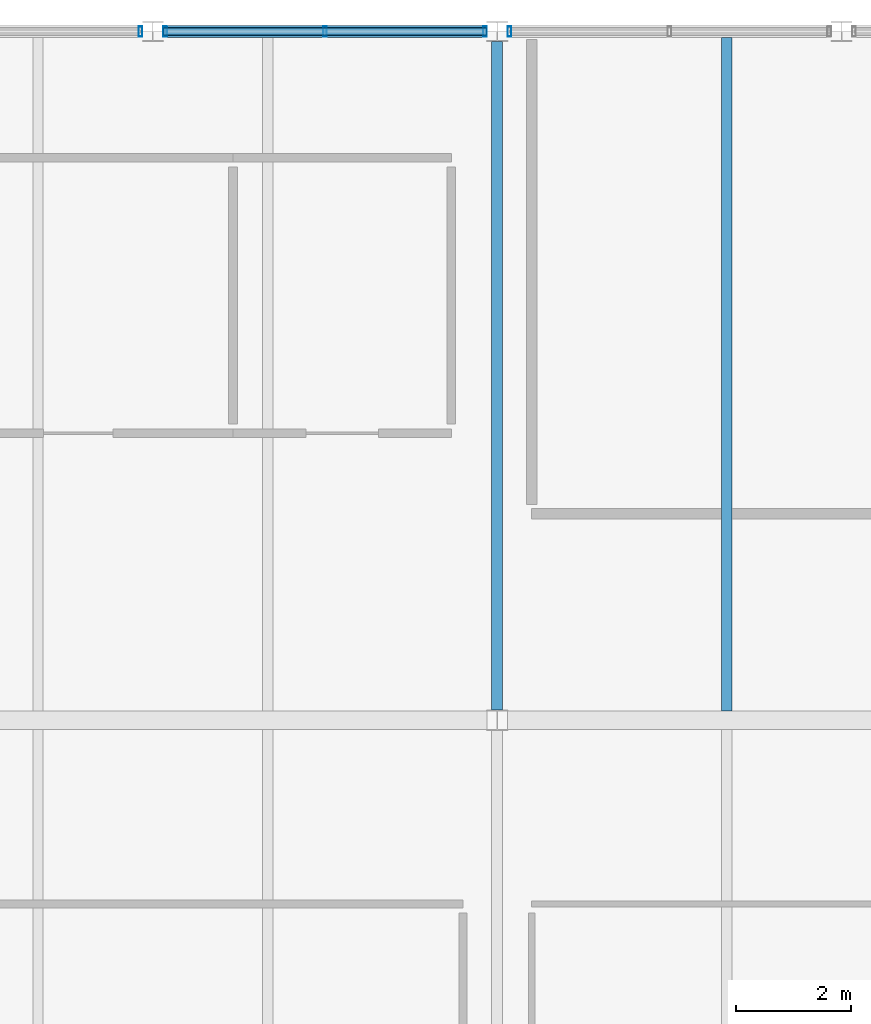
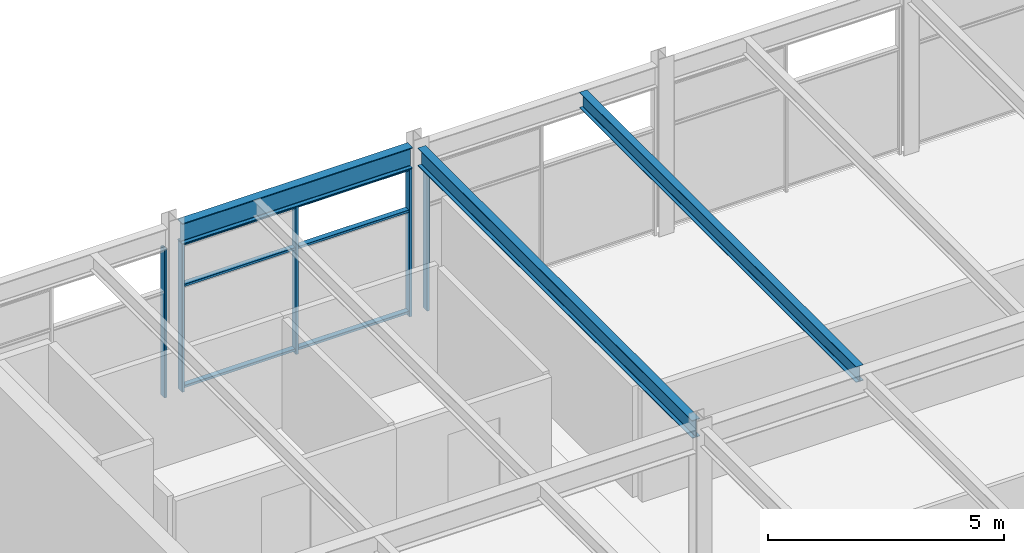
# One storey, part 11 of 28: 8 members, 3 beams, 3 elements without a shape of their own.
"""IFC4 building model written with IfcOpenShell, lengths in metres."""

from ifc_helpers import new_model, si_unit, direction, frame, origin, origin_2d, place, context, subcontext, project, spatial, hollow_rectangle, i_section, extrude, material, material_profile, profile_set, type_object, element, aggregate, save


model = new_model("IFC4")

# Units and contexts
model_context = context("Model", 3, precision=1e-05, world=origin(), true_north=direction((0.0, 1.0)))
body_context = subcontext(model_context, "Body", "Model", "MODEL_VIEW")
ifc_project = project(units=[si_unit("LENGTHUNIT", "METRE"), si_unit("AREAUNIT", "SQUARE_METRE"), si_unit("VOLUMEUNIT", "CUBIC_METRE"), si_unit("PLANEANGLEUNIT", "RADIAN"), si_unit("MASSUNIT", "GRAM", prefix="KILO")], contexts=[model_context])

# Site, building, storey
site_placement = place(None, origin())
site = spatial("IfcSite", under=ifc_project, at=site_placement, CompositionType="ELEMENT")
building_placement = place(site_placement, origin())
building = spatial("IfcBuilding", under=site, at=building_placement, Name="Girod Span Mobility Hub", CompositionType="ELEMENT")
storey_placement = place(building_placement, frame((0.0, 0.0, 69.60009765625)))
storey = spatial("IfcBuildingStorey", under=building, at=storey_placement, Name="L17", CompositionType="ELEMENT", Elevation=69.60009765625)

# Beams
ifc_material_1 = material(Name="Steel A992 Grade 50", Category="steel")
ifc_material_profile_1 = material_profile(ifc_material_1, i_section(OverallWidth=0.178955078125, OverallDepth=0.409912109375, WebThickness=0.0087890625, FlangeThickness=0.014404296875, FilletRadius=0.012939453125, at=origin_2d()), Name="W16X45")
ifc_profile_set_1 = profile_set([ifc_material_profile_1], Name="Steel A992 Grade 50")
beam_type_1 = type_object("IfcBeamType", Name="BM-STL-W16X45", PredefinedType="BEAM", material=ifc_profile_set_1)
beam_1_placement = place(storey_placement, frame((76.0, 57.158935546875, 4.1748046875), z_axis=(0.0, 1.0, 0.0), x_axis=(-1.0, 0.0, 0.0)))
element("IfcBeam", 1, at=beam_1_placement, inside=storey, type_object=beam_type_1, Name="Composite Floorbeam 7/E-1 L17", PredefinedType="BEAM", context=body_context, shape_type="SweptSolid", body=[
    extrude(i_section(OverallWidth=0.178955078125, OverallDepth=0.409912109375, WebThickness=0.0087890625, FlangeThickness=0.014404296875, FilletRadius=0.012939453125, at=origin_2d()), origin(), (0.0, 0.0, 1.0), 11.738037109375),
])
ifc_material_2 = material(Name="Steel A992 Grade 50", Category="steel")
ifc_material_profile_2 = material_profile(ifc_material_2, i_section(OverallWidth=0.19189453125, OverallDepth=0.462890625, WebThickness=0.010498046875, FlangeThickness=0.017578125, FilletRadius=0.013916015625, at=origin_2d()), Name="W18X60")
ifc_profile_set_2 = profile_set([ifc_material_profile_2], Name="Steel A992 Grade 50")
beam_type_2 = type_object("IfcBeamType", Name="BM-STL-W18X60", PredefinedType="BEAM", material=ifc_profile_set_2)
beam_2_placement = place(storey_placement, frame((72.0, 57.175048828125, 4.1484375), z_axis=(0.0, 1.0, 0.0), x_axis=(-1.0, 0.0, 0.0)))
element("IfcBeam", 2, at=beam_2_placement, inside=storey, type_object=beam_type_2, Name="Tie Girder 7/E-F L17", PredefinedType="BEAM", context=body_context, shape_type="SweptSolid", body=[
    extrude(i_section(OverallWidth=0.19189453125, OverallDepth=0.462890625, WebThickness=0.010498046875, FlangeThickness=0.017578125, FilletRadius=0.013916015625, at=origin_2d()), origin(), (0.0, 0.0, 1.0), 11.64990234375),
])
ifc_material_3 = material(Name="Steel A992 Grade 50", Category="steel")
ifc_material_profile_3 = material_profile(ifc_material_3, i_section(OverallWidth=0.2119140625, OverallDepth=0.5439453125, WebThickness=0.01318359375, FlangeThickness=0.021240234375, FilletRadius=0.014892578125, at=origin_2d()), Name="W21X83")
ifc_profile_set_3 = profile_set([ifc_material_profile_3], Name="Steel A992 Grade 50")
beam_type_3 = type_object("IfcBeamType", Name="BM-STL-W21X83", PredefinedType="SPANDREL", material=ifc_profile_set_3)
beam_3_placement = place(storey_placement, frame((66.181396484375, 69.0, 4.10791015625), z_axis=(1.0, 0.0, 0.0), x_axis=(0.0, 1.0, 0.0)))
element("IfcBeam", 3, at=beam_3_placement, inside=storey, type_object=beam_type_3, Name="Spandrel Beam 6-7/F-E L17", PredefinedType="SPANDREL", context=body_context, shape_type="SweptSolid", body=[
    extrude(i_section(OverallWidth=0.2119140625, OverallDepth=0.5439453125, WebThickness=0.01318359375, FlangeThickness=0.021240234375, FilletRadius=0.014892578125, at=origin_2d()), origin(), (0.0, 0.0, 1.0), 5.63720703125),
])

# Curtain wall, member
ifc_material_4 = material(Name="Thermally Broken Anodised Aluminium", Category="aluminium")
curtain_wall_type = type_object("IfcCurtainWallType", Name="CW-564X384", PredefinedType="USERDEFINED", material=ifc_material_4)
curtain_wall_1_placement = place(storey_placement, origin())
curtain_wall_1 = element("IfcCurtainWall", 4, at=curtain_wall_1_placement, inside=storey, type_object=curtain_wall_type, Name="Unitised Curtain Wall CW-L17-N06W L17", ObjectType="UNITISED CURTAIN WALL", PredefinedType="USERDEFINED")
ifc_material_5 = material(Name="Thermally Broken Anodised Aluminium", Category="aluminium")
ifc_material_profile_4 = material_profile(ifc_material_5, hollow_rectangle(XDim=0.179931640625, YDim=0.06494140625, WallThickness=0.00390625, InnerFilletRadius=0.00390625, OuterFilletRadius=0.008056640625, at=origin_2d()), Name="CW-ML-65X180")
ifc_profile_set_4 = profile_set([ifc_material_profile_4], Name="Thermally Broken Anodised Aluminium")
member_type_1 = type_object("IfcMemberType", Name="CWM-ML-2", PredefinedType="MULLION", material=ifc_profile_set_4)
member_1_placement = place(storey_placement, frame((65.785400390625, 69.0, 0.0), z_axis=(0.0, 0.0, 1.0), x_axis=(0.0, 1.0, 0.0)))
member_1 = element("IfcMember", 5, at=member_1_placement, type_object=member_type_1, Name="Curtain Wall Mullion CW-L17-N06W-M2", PredefinedType="MULLION", context=body_context, shape_type="SweptSolid", body=[
    extrude(hollow_rectangle(XDim=0.179931640625, YDim=0.06494140625, WallThickness=0.00390625, InnerFilletRadius=0.00390625, OuterFilletRadius=0.008056640625, at=origin_2d()), origin(), (0.0, 0.0, 1.0), 3.8359375),
])
aggregate(curtain_wall_1, [member_1])

# Curtain wall, members
curtain_wall_2_placement = place(storey_placement, origin())
curtain_wall_2 = element("IfcCurtainWall", 6, at=curtain_wall_2_placement, inside=storey, type_object=curtain_wall_type, Name="Unitised Curtain Wall CW-L17-N06E L17", ObjectType="UNITISED CURTAIN WALL", PredefinedType="USERDEFINED")
member_2_placement = place(storey_placement, frame((66.214599609375, 69.0, 0.0), z_axis=(0.0, 0.0, 1.0), x_axis=(0.0, 1.0, 0.0)))
member_2 = element("IfcMember", 7, at=member_2_placement, type_object=member_type_1, Name="Curtain Wall Mullion CW-L17-N06E-M0", PredefinedType="MULLION", context=body_context, shape_type="SweptSolid", body=[
    extrude(hollow_rectangle(XDim=0.179931640625, YDim=0.06494140625, WallThickness=0.00390625, InnerFilletRadius=0.00390625, OuterFilletRadius=0.008056640625, at=origin_2d()), origin(), (0.0, 0.0, 1.0), 3.8359375),
])
member_3_placement = place(storey_placement, frame((69.0, 69.0, 0.0), z_axis=(0.0, 0.0, 1.0), x_axis=(0.0, 1.0, 0.0)))
member_3 = element("IfcMember", 8, at=member_3_placement, type_object=member_type_1, Name="Curtain Wall Mullion CW-L17-N06E-M1", PredefinedType="MULLION", context=body_context, shape_type="SweptSolid", body=[
    extrude(hollow_rectangle(XDim=0.179931640625, YDim=0.06494140625, WallThickness=0.00390625, InnerFilletRadius=0.00390625, OuterFilletRadius=0.008056640625, at=origin_2d()), origin(), (0.0, 0.0, 1.0), 3.8359375),
])
member_4_placement = place(storey_placement, frame((71.785400390625, 69.0, 0.0), z_axis=(0.0, 0.0, 1.0), x_axis=(0.0, 1.0, 0.0)))
member_4 = element("IfcMember", 9, at=member_4_placement, type_object=member_type_1, Name="Curtain Wall Mullion CW-L17-N06E-M2", PredefinedType="MULLION", context=body_context, shape_type="SweptSolid", body=[
    extrude(hollow_rectangle(XDim=0.179931640625, YDim=0.06494140625, WallThickness=0.00390625, InnerFilletRadius=0.00390625, OuterFilletRadius=0.008056640625, at=origin_2d()), origin(), (0.0, 0.0, 1.0), 3.8359375),
])

# Curtain wall, member
curtain_wall_3_placement = place(storey_placement, origin())
curtain_wall_3 = element("IfcCurtainWall", 10, at=curtain_wall_3_placement, inside=storey, type_object=curtain_wall_type, Name="Unitised Curtain Wall CW-L17-N07W L17", ObjectType="UNITISED CURTAIN WALL", PredefinedType="USERDEFINED")
member_5_placement = place(storey_placement, frame((72.214599609375, 69.0, 0.0), z_axis=(0.0, 0.0, 1.0), x_axis=(0.0, 1.0, 0.0)))
member_5 = element("IfcMember", 11, at=member_5_placement, type_object=member_type_1, Name="Curtain Wall Mullion CW-L17-N07W-M0", PredefinedType="MULLION", context=body_context, shape_type="SweptSolid", body=[
    extrude(hollow_rectangle(XDim=0.179931640625, YDim=0.06494140625, WallThickness=0.00390625, InnerFilletRadius=0.00390625, OuterFilletRadius=0.008056640625, at=origin_2d()), origin(), (0.0, 0.0, 1.0), 3.8359375),
])
aggregate(curtain_wall_3, [member_5])

# Member
ifc_material_6 = material(Name="Thermally Broken Anodised Aluminium", Category="aluminium")
ifc_material_profile_5 = material_profile(ifc_material_6, hollow_rectangle(XDim=0.135009765625, YDim=0.06494140625, WallThickness=0.00390625, InnerFilletRadius=0.00390625, OuterFilletRadius=0.008056640625, at=origin_2d()), Name="CW-TR-65X135")
ifc_profile_set_5 = profile_set([ifc_material_profile_5], Name="Thermally Broken Anodised Aluminium")
member_type_2 = type_object("IfcMemberType", Name="CWM-TR-2", PredefinedType="USERDEFINED", material=ifc_profile_set_5)
member_6_placement = place(storey_placement, frame((66.1826171875, 69.0, 0.107421875), z_axis=(1.0, 0.0, 0.0), x_axis=(0.0, 1.0, 0.0)))
member_6 = element("IfcMember", 12, at=member_6_placement, type_object=member_type_2, Name="Curtain Wall Transom CW-L17-N06E-T1", ObjectType="TRANSOM", PredefinedType="USERDEFINED", context=body_context, shape_type="SweptSolid", body=[
    extrude(hollow_rectangle(XDim=0.135009765625, YDim=0.06494140625, WallThickness=0.00390625, InnerFilletRadius=0.00390625, OuterFilletRadius=0.008056640625, at=origin_2d()), origin(), (0.0, 0.0, 1.0), 5.634765625),
])

member_7_placement = place(storey_placement, frame((66.1826171875, 69.0, 2.729248046875), z_axis=(1.0, 0.0, 0.0), x_axis=(0.0, 1.0, 0.0)))
member_7 = element("IfcMember", 13, at=member_7_placement, type_object=member_type_2, Name="Curtain Wall Transom CW-L17-N06E-T2", ObjectType="TRANSOM", PredefinedType="USERDEFINED", context=body_context, shape_type="SweptSolid", body=[
    extrude(hollow_rectangle(XDim=0.135009765625, YDim=0.06494140625, WallThickness=0.00390625, InnerFilletRadius=0.00390625, OuterFilletRadius=0.008056640625, at=origin_2d()), origin(), (0.0, 0.0, 1.0), 5.634765625),
])

member_8_placement = place(storey_placement, frame((66.1826171875, 69.0, 3.803466796875), z_axis=(1.0, 0.0, 0.0), x_axis=(0.0, 1.0, 0.0)))
member_8 = element("IfcMember", 14, at=member_8_placement, type_object=member_type_2, Name="Curtain Wall Transom CW-L17-N06E-T3", ObjectType="TRANSOM", PredefinedType="USERDEFINED", context=body_context, shape_type="SweptSolid", body=[
    extrude(hollow_rectangle(XDim=0.135009765625, YDim=0.06494140625, WallThickness=0.00390625, InnerFilletRadius=0.00390625, OuterFilletRadius=0.008056640625, at=origin_2d()), origin(), (0.0, 0.0, 1.0), 5.634765625),
])

aggregate(curtain_wall_2, [member_2, member_3, member_4, member_6, member_7, member_8])

save(model, "model.ifc")
